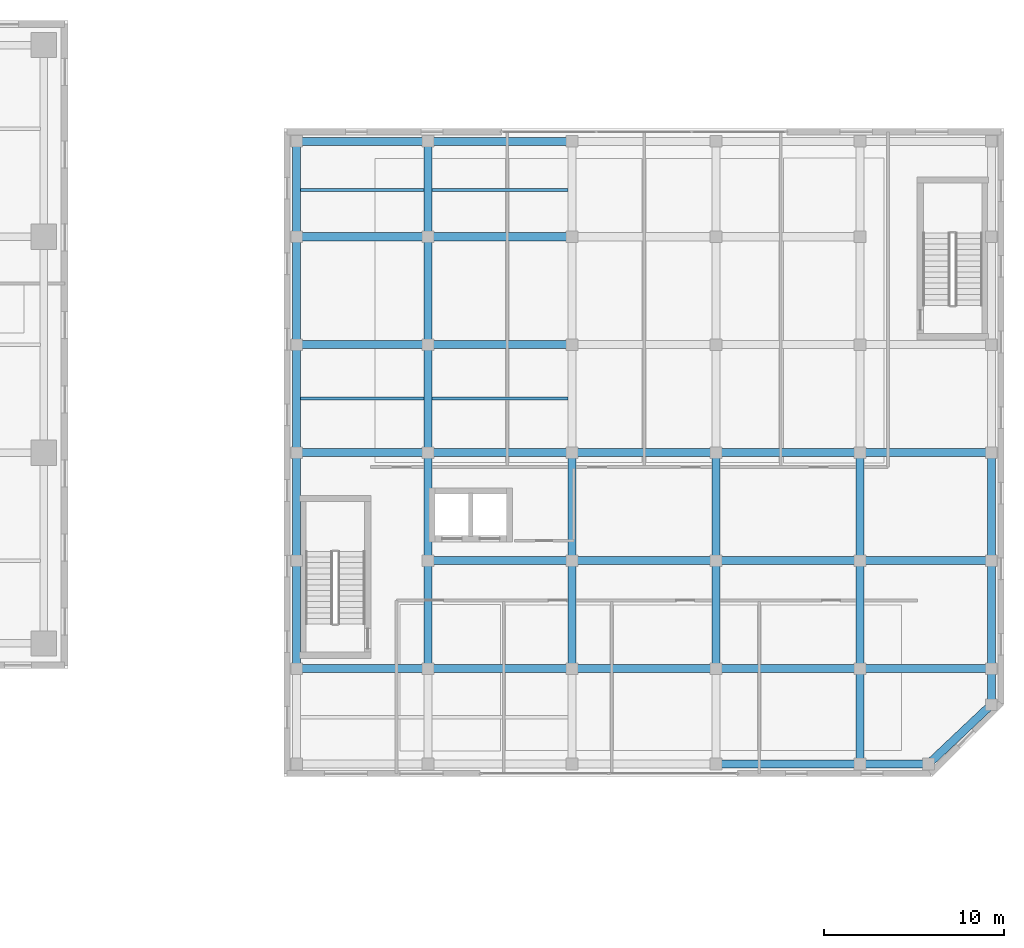
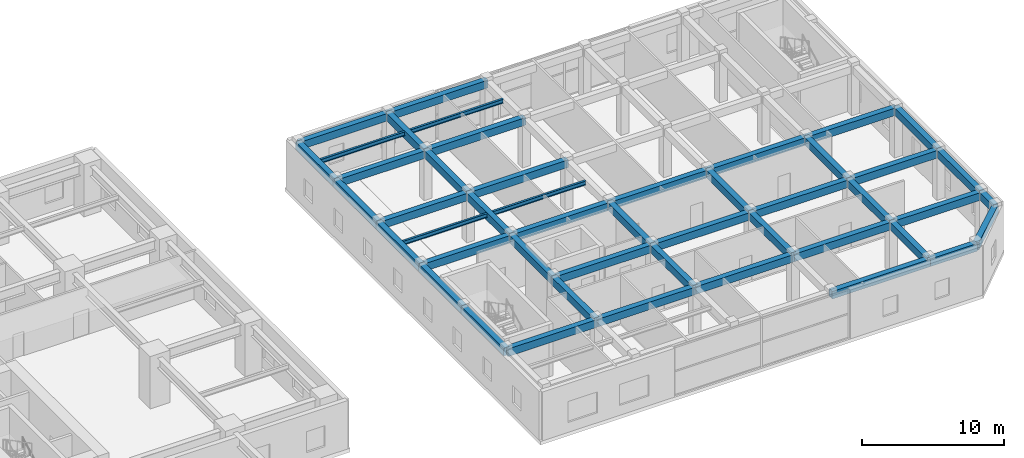
# One storey, part 12 of 28: 47 beams.
"""IFC4 building model written with IfcOpenShell, lengths in metres."""

from ifc_helpers import new_model, si_unit, direction, frame, origin, origin_2d, place, context, subcontext, project, spatial, rectangle, i_section, extrude, source, transform, mapped, material, material_profile, profile_set, type_object, element, save


model = new_model("IFC4")

# Units and contexts
model_context = context("Model", 3, precision=1e-05, world=origin(), true_north=direction((0.0, 1.0)))
body_context = subcontext(model_context, "Body", "Model", "MODEL_VIEW")
ifc_project = project(units=[si_unit("LENGTHUNIT", "METRE"), si_unit("AREAUNIT", "SQUARE_METRE"), si_unit("VOLUMEUNIT", "CUBIC_METRE"), si_unit("PLANEANGLEUNIT", "RADIAN"), si_unit("MASSUNIT", "GRAM", prefix="KILO")], contexts=[model_context])

# Site, building, storey
site_placement = place(None, origin())
site = spatial("IfcSite", under=ifc_project, at=site_placement, CompositionType="ELEMENT")
building_placement = place(site_placement, origin())
building = spatial("IfcBuilding", under=site, at=building_placement, Name="Khoralis Quay Care Tower", CompositionType="ELEMENT")
storey_placement = place(building_placement, frame((0.0, 0.0, 9.0)))
storey = spatial("IfcBuildingStorey", under=building, at=storey_placement, Name="L02", CompositionType="ELEMENT", Elevation=9.0)

# Beams
ifc_material_1 = material(Name="Concrete C40/50", Category="concrete")
ifc_material_profile_1 = material_profile(ifc_material_1, rectangle(XDim=0.449951171875, YDim=0.64990234375, at=origin_2d()), Name="Concrete C40/50")
ifc_profile_set_1 = profile_set([ifc_material_profile_1], Name="Concrete C40/50")
beam_type_1 = type_object("IfcBeamType", Name="BM-RC450X650", PredefinedType="BEAM", material=ifc_profile_set_1)
shared_shape_1 = source(origin(), body_context, "Body", "SweptSolid", [
    extrude(rectangle(XDim=0.449951171875, YDim=0.64990234375, at=origin_2d()), origin(), (0.0, 0.0, 1.0), 7.300048828125),
])
for number, where, z_axis, x_axis, name in (
    (1, (68.699951171875, 12.0, 3.875), (1.0, 0.0, 0.0), (0.0, 1.0, 0.0), "BM-SCX-L02-05"),
    (2, (100.0, 12.0, 3.875), (1.0, 0.0, 0.0), (0.0, 1.0, 0.0), "BM-SCX-L02-09"),
    (3, (100.0, 18.0, 3.875), (1.0, 0.0, 0.0), (0.0, 1.0, 0.0), "BM-SCX-L02-13"),
    (4, (68.699951171875, 24.0, 3.875), (1.0, 0.0, 0.0), (0.0, 1.0, 0.0), "BM-SCX-L02-14"),
    (5, (100.0, 24.0, 3.875), (1.0, 0.0, 0.0), (0.0, 1.0, 0.0), "BM-SCX-L02-18"),
    (6, (68.699951171875, 30.0, 3.875), (1.0, 0.0, 0.0), (0.0, 1.0, 0.0), "BM-SCX-L02-19"),
    (7, (68.699951171875, 36.0, 3.875), (1.0, 0.0, 0.0), (0.0, 1.0, 0.0), "BM-SCX-L02-24"),
    (8, (68.699951171875, 41.300048828125, 3.875), (1.0, 0.0, 0.0), (0.0, 1.0, 0.0), "BM-SCX-L02-28"),
):
    element("IfcBeam", number, at=place(storey_placement, frame(where, z_axis=z_axis, x_axis=x_axis)), inside=storey, type_object=beam_type_1, Name=name, PredefinedType="BEAM", context=body_context, shape_type="MappedRepresentation", body=[
        mapped(shared_shape_1, transform((0.0, 0.0, 0.0), scale=1.0)),
    ])
shared_shape_2 = source(origin(), body_context, "Body", "SweptSolid", [
    extrude(rectangle(XDim=0.449951171875, YDim=0.64990234375, at=origin_2d()), origin(), (0.0, 0.0, 1.0), 8.0),
])
for number, where, z_axis, x_axis, name in (
    (9, (92.0, 6.699951171875, 3.875), (1.0, 0.0, 0.0), (0.0, 1.0, 0.0), "BM-SCX-L02-04"),
    (10, (76.0, 12.0, 3.875), (1.0, 0.0, 0.0), (0.0, 1.0, 0.0), "BM-SCX-L02-06"),
    (11, (84.0, 12.0, 3.875), (1.0, 0.0, 0.0), (0.0, 1.0, 0.0), "BM-SCX-L02-07"),
    (12, (92.0, 12.0, 3.875), (1.0, 0.0, 0.0), (0.0, 1.0, 0.0), "BM-SCX-L02-08"),
    (13, (76.0, 18.0, 3.875), (1.0, 0.0, 0.0), (0.0, 1.0, 0.0), "BM-SCX-L02-10"),
    (14, (84.0, 18.0, 3.875), (1.0, 0.0, 0.0), (0.0, 1.0, 0.0), "BM-SCX-L02-11"),
    (15, (92.0, 18.0, 3.875), (1.0, 0.0, 0.0), (0.0, 1.0, 0.0), "BM-SCX-L02-12"),
    (16, (76.0, 24.0, 3.875), (1.0, 0.0, 0.0), (0.0, 1.0, 0.0), "BM-SCX-L02-15"),
    (17, (84.0, 24.0, 3.875), (1.0, 0.0, 0.0), (0.0, 1.0, 0.0), "BM-SCX-L02-16"),
    (18, (92.0, 24.0, 3.875), (1.0, 0.0, 0.0), (0.0, 1.0, 0.0), "BM-SCX-L02-17"),
    (19, (76.0, 30.0, 3.875), (1.0, 0.0, 0.0), (0.0, 1.0, 0.0), "BM-SCX-L02-20"),
    (20, (76.0, 36.0, 3.875), (1.0, 0.0, 0.0), (0.0, 1.0, 0.0), "BM-SCX-L02-25"),
    (21, (76.0, 41.300048828125, 3.875), (1.0, 0.0, 0.0), (0.0, 1.0, 0.0), "BM-SCX-L02-29"),
):
    element("IfcBeam", number, at=place(storey_placement, frame(where, z_axis=z_axis, x_axis=x_axis)), inside=storey, type_object=beam_type_1, Name=name, PredefinedType="BEAM", context=body_context, shape_type="MappedRepresentation", body=[
        mapped(shared_shape_2, transform((0.0, 0.0, 0.0), scale=1.0)),
    ])
shared_shape_3 = source(origin(), body_context, "Body", "SweptSolid", [
    extrude(rectangle(XDim=0.449951171875, YDim=0.64990234375, at=origin_2d()), origin(), (0.0, 0.0, 1.0), 5.300048828125),
])
for number, where, z_axis, x_axis, name in (
    (22, (68.699951171875, 36.0, 3.875), (0.0, 1.0, 0.0), (-1.0, 0.0, 0.0), "BM-SCY-L02-38"),
    (23, (76.0, 36.0, 3.875), (0.0, 1.0, 0.0), (-1.0, 0.0, 0.0), "BM-SCY-L02-44"),
    (24, (100.0, 6.699951171875, 3.875), (0.0, 1.0, 0.0), (-1.0, 0.0, 0.0), "BM-SCY-L02-57"),
):
    element("IfcBeam", number, at=place(storey_placement, frame(where, z_axis=z_axis, x_axis=x_axis)), inside=storey, type_object=beam_type_1, Name=name, PredefinedType="BEAM", context=body_context, shape_type="MappedRepresentation", body=[
        mapped(shared_shape_3, transform((0.0, 0.0, 0.0), scale=1.0)),
    ])
shared_shape_4 = source(origin(), body_context, "Body", "SweptSolid", [
    extrude(rectangle(XDim=0.449951171875, YDim=0.64990234375, at=origin_2d()), origin(), (0.0, 0.0, 1.0), 6.0),
])
for number, where, z_axis, x_axis, name in (
    (25, (68.699951171875, 12.0, 3.875), (0.0, 1.0, 0.0), (-1.0, 0.0, 0.0), "BM-SCY-L02-34"),
    (26, (68.699951171875, 18.0, 3.875), (0.0, 1.0, 0.0), (-1.0, 0.0, 0.0), "BM-SCY-L02-35"),
    (27, (68.699951171875, 24.0, 3.875), (0.0, 1.0, 0.0), (-1.0, 0.0, 0.0), "BM-SCY-L02-36"),
    (28, (68.699951171875, 30.0, 3.875), (0.0, 1.0, 0.0), (-1.0, 0.0, 0.0), "BM-SCY-L02-37"),
    (29, (76.0, 12.0, 3.875), (0.0, 1.0, 0.0), (-1.0, 0.0, 0.0), "BM-SCY-L02-40"),
    (30, (76.0, 18.0, 3.875), (0.0, 1.0, 0.0), (-1.0, 0.0, 0.0), "BM-SCY-L02-41"),
    (31, (76.0, 24.0, 3.875), (0.0, 1.0, 0.0), (-1.0, 0.0, 0.0), "BM-SCY-L02-42"),
    (32, (76.0, 30.0, 3.875), (0.0, 1.0, 0.0), (-1.0, 0.0, 0.0), "BM-SCY-L02-43"),
    (33, (84.0, 12.0, 3.875), (0.0, 1.0, 0.0), (-1.0, 0.0, 0.0), "BM-SCY-L02-46"),
    (34, (84.0, 18.0, 3.875), (0.0, 1.0, 0.0), (-1.0, 0.0, 0.0), "BM-SCY-L02-47"),
    (35, (92.0, 12.0, 3.875), (0.0, 1.0, 0.0), (-1.0, 0.0, 0.0), "BM-SCY-L02-52"),
    (36, (92.0, 18.0, 3.875), (0.0, 1.0, 0.0), (-1.0, 0.0, 0.0), "BM-SCY-L02-53"),
    (37, (100.0, 12.0, 3.875), (0.0, 1.0, 0.0), (-1.0, 0.0, 0.0), "BM-SCY-L02-58"),
    (38, (100.0, 18.0, 3.875), (0.0, 1.0, 0.0), (-1.0, 0.0, 0.0), "BM-SCY-L02-59"),
    (39, (107.300048828125, 12.0, 3.875), (0.0, 1.0, 0.0), (-1.0, 0.0, 0.0), "BM-SCY-L02-63"),
    (40, (107.300048828125, 18.0, 3.875), (0.0, 1.0, 0.0), (-1.0, 0.0, 0.0), "BM-SCY-L02-64"),
):
    element("IfcBeam", number, at=place(storey_placement, frame(where, z_axis=z_axis, x_axis=x_axis)), inside=storey, type_object=beam_type_1, Name=name, PredefinedType="BEAM", context=body_context, shape_type="MappedRepresentation", body=[
        mapped(shared_shape_4, transform((0.0, 0.0, 0.0), scale=1.0)),
    ])
shared_shape_5 = source(origin(), body_context, "Body", "SweptSolid", [
    extrude(rectangle(XDim=0.449951171875, YDim=0.64990234375, at=origin_2d()), origin(), (0.0, 0.0, 1.0), 3.800048828125),
])
beam_1_placement = place(storey_placement, frame((100.0, 6.699951171875, 3.875), z_axis=(1.0, 0.0, 0.0), x_axis=(0.0, 1.0, 0.0)))
element("IfcBeam", 41, at=beam_1_placement, inside=storey, type_object=beam_type_1, Name="BM-SCCH-L02-1", PredefinedType="BEAM", context=body_context, shape_type="MappedRepresentation", body=[
    mapped(shared_shape_5, transform((0.0, 0.0, 0.0), scale=1.0)),
])
shared_shape_6 = source(origin(), body_context, "Body", "SweptSolid", [
    extrude(rectangle(XDim=0.449951171875, YDim=0.64990234375, at=origin_2d()), origin(), (0.0, 0.0, 1.0), 4.810546875),
])
beam_2_placement = place(storey_placement, frame((103.800048828125, 6.699951171875, 3.875), z_axis=(0.727584339713, 0.686018242181, 0.0), x_axis=(-0.686018242181, 0.727584339713, 0.0)))
element("IfcBeam", 42, at=beam_2_placement, inside=storey, type_object=beam_type_1, Name="BM-SCCH-L02-2", PredefinedType="BEAM", context=body_context, shape_type="MappedRepresentation", body=[
    mapped(shared_shape_6, transform((0.0, 0.0, 0.0), scale=1.0)),
])
shared_shape_7 = source(origin(), body_context, "Body", "SweptSolid", [
    extrude(rectangle(XDim=0.449951171875, YDim=0.64990234375, at=origin_2d()), origin(), (0.0, 0.0, 1.0), 2.0),
])
beam_3_placement = place(storey_placement, frame((107.300048828125, 10.0, 3.875), z_axis=(0.0, 1.0, 0.0), x_axis=(-1.0, 0.0, 0.0)))
element("IfcBeam", 43, at=beam_3_placement, inside=storey, type_object=beam_type_1, Name="BM-SCCH-L02-3", PredefinedType="BEAM", context=body_context, shape_type="MappedRepresentation", body=[
    mapped(shared_shape_7, transform((0.0, 0.0, 0.0), scale=1.0)),
])
ifc_material_2 = material(Name="Steel S355", Category="steel")
ifc_material_profile_2 = material_profile(ifc_material_2, i_section(OverallWidth=0.1708984375, OverallDepth=0.35498046875, WebThickness=0.007080078125, FlangeThickness=0.01171875, FilletRadius=0.012939453125, at=origin_2d()), Name="Steel S355")
ifc_profile_set_2 = profile_set([ifc_material_profile_2], Name="Steel S355")
beam_type_2 = type_object("IfcBeamType", Name="BM-W360X51", PredefinedType="JOIST", material=ifc_profile_set_2)
shared_shape_8 = source(origin(), body_context, "Body", "SweptSolid", [
    extrude(i_section(OverallWidth=0.1708984375, OverallDepth=0.35498046875, WebThickness=0.007080078125, FlangeThickness=0.01171875, FilletRadius=0.012939453125, at=origin_2d()), origin(), (0.0, 0.0, 1.0), 6.8740234375),
])
for number, where, z_axis, x_axis, name in (
    (44, (68.9130859375, 27.0, 4.0224609375), (1.0, 0.0, 0.0), (0.0, 1.0, 0.0), "BM-SCJ-L02-70"),
    (45, (68.9130859375, 38.60009765625, 4.0224609375), (1.0, 0.0, 0.0), (0.0, 1.0, 0.0), "BM-SCJ-L02-72"),
):
    element("IfcBeam", number, at=place(storey_placement, frame(where, z_axis=z_axis, x_axis=x_axis)), inside=storey, type_object=beam_type_2, Name=name, PredefinedType="JOIST", context=body_context, shape_type="MappedRepresentation", body=[
        mapped(shared_shape_8, transform((0.0, 0.0, 0.0), scale=1.0)),
    ])
shared_shape_9 = source(origin(), body_context, "Body", "SweptSolid", [
    extrude(i_section(OverallWidth=0.1708984375, OverallDepth=0.35498046875, WebThickness=0.007080078125, FlangeThickness=0.01171875, FilletRadius=0.012939453125, at=origin_2d()), origin(), (0.0, 0.0, 1.0), 7.57421875),
])
for number, where, z_axis, x_axis, name in (
    (46, (76.212890625, 27.0, 4.0224609375), (1.0, 0.0, 0.0), (0.0, 1.0, 0.0), "BM-SCJ-L02-71"),
    (47, (76.212890625, 38.60009765625, 4.0224609375), (1.0, 0.0, 0.0), (0.0, 1.0, 0.0), "BM-SCJ-L02-73"),
):
    element("IfcBeam", number, at=place(storey_placement, frame(where, z_axis=z_axis, x_axis=x_axis)), inside=storey, type_object=beam_type_2, Name=name, PredefinedType="JOIST", context=body_context, shape_type="MappedRepresentation", body=[
        mapped(shared_shape_9, transform((0.0, 0.0, 0.0), scale=1.0)),
    ])

save(model, "model.ifc")
